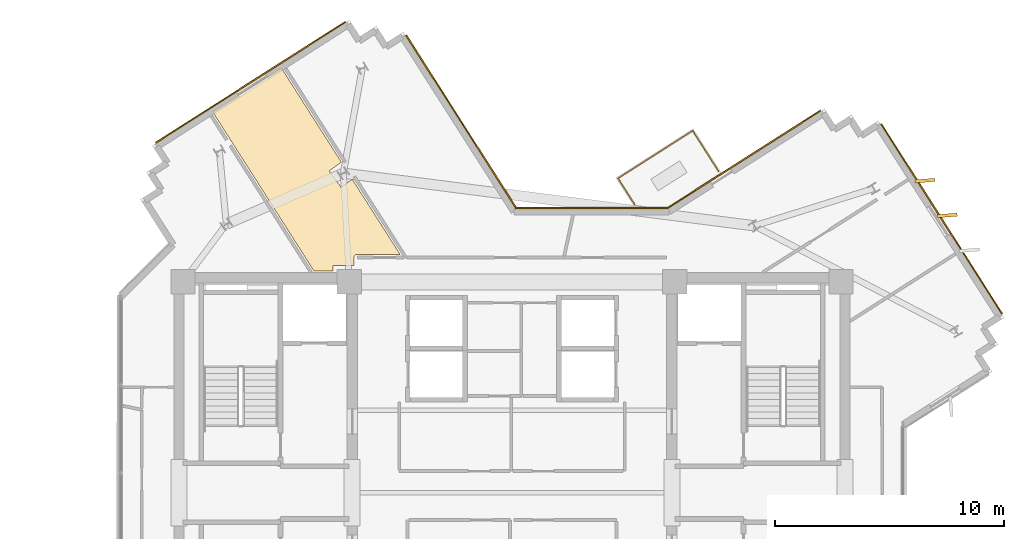
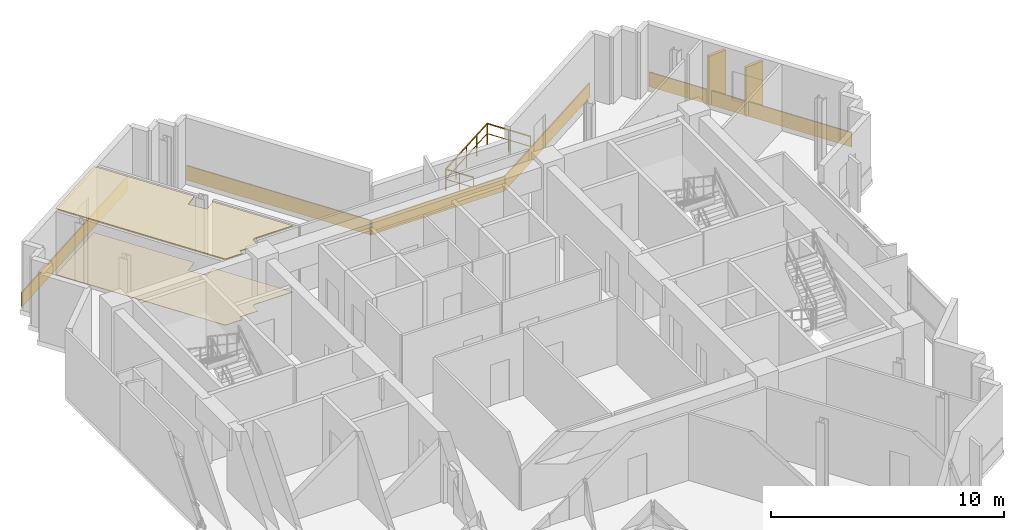
# One storey, part 12 of 12: 9 coverings, 3 railings.
"""IFC4 building model written with IfcOpenShell, lengths in metres."""

import ifcopenshell
import ifcopenshell.guid

model = None  # the IFC model being written
_history = None  # IfcOwnerHistory: only IFC2X3 demands one
_inside = {}  # id of a spatial element -> (the spatial element, [elements in it])
_under = {}  # id of a project, library or spatial element -> (it, [spatial elements below it])
_declared = {}  # id of a project -> (the project, [libraries it declares])
_typed = {}  # id of a type object -> (the type object, [elements of that type])
_made_of = {}  # id of a material, layer set ... -> (it, [elements and type objects made of it])


def new_model(schema):
    """Start an empty IFC model of exactly this schema.

    Asked for "IFC4X3", IfcOpenShell would pick the latest addendum, in which some entities
    have other attributes; the version numbers below select the first issue.
    IFC2X3 requires an IfcOwnerHistory on every rooted entity: one is made here for all.
    """
    global model, _history
    if schema == "IFC4X3":
        model = ifcopenshell.file(schema_version=(4, 3, 0, 0))
    else:
        model = ifcopenshell.file(schema=schema)
    _inside.clear()
    _under.clear()
    _declared.clear()
    _typed.clear()
    _made_of.clear()
    _history = None
    if model.schema == "IFC2X3":
        org = make("IfcOrganization", Name="unknown")
        user = make(
            "IfcPersonAndOrganization",
            ThePerson=make("IfcPerson", FamilyName="unknown"),
            TheOrganization=org,
        )
        app = make(
            "IfcApplication",
            ApplicationDeveloper=org,
            Version="unknown",
            ApplicationFullName="unknown",
            ApplicationIdentifier="unknown",
        )
        _history = make(
            "IfcOwnerHistory",
            OwningUser=user,
            OwningApplication=app,
            ChangeAction="ADDED",
            CreationDate=0,
        )
    return model


def make(cls, **values):
    """One entity of the class cls with the attributes given. An attribute that is None is left unset."""
    return model.create_entity(
        cls, **{name: value for name, value in values.items() if value is not None}
    )


def rooted(cls, **values):
    """An entity with a GlobalId (a new one), such as an element, a storey or a relation."""
    return make(cls, GlobalId=ifcopenshell.guid.new(), OwnerHistory=_history, **values)


def si_unit(unit_type, name, prefix=None):
    """IfcSIUnit, for example si_unit("LENGTHUNIT", "METRE", prefix="MILLI")."""
    return make("IfcSIUnit", UnitType=unit_type, Prefix=prefix, Name=name)


def assignment(units):
    """IfcUnitAssignment: the units of a project."""
    return None if units is None else make("IfcUnitAssignment", Units=units)


def point(xyz):
    """IfcCartesianPoint."""
    return None if xyz is None else make("IfcCartesianPoint", Coordinates=xyz)


def direction(xyz):
    """IfcDirection."""
    return None if xyz is None else make("IfcDirection", DirectionRatios=xyz)


def frame(location, z_axis=None, x_axis=None):
    """IfcAxis2Placement3D, a coordinate frame: its origin and axes. An axis left out is left unset."""
    return make(
        "IfcAxis2Placement3D",
        Location=point(location),
        Axis=direction(z_axis),
        RefDirection=direction(x_axis),
    )


def frame_2d(location, x_axis=None):
    """IfcAxis2Placement2D, a coordinate frame in the plane: its origin and x axis."""
    return make(
        "IfcAxis2Placement2D", Location=point(location), RefDirection=direction(x_axis)
    )


def origin():
    """The frame at (0, 0, 0) with its axes left unset."""
    return frame((0.0, 0.0, 0.0))


def origin_2d():
    """The frame at (0, 0) in the plane with its x axis left unset."""
    return frame_2d((0.0, 0.0))


def place(relative_to, where):
    """IfcLocalPlacement: puts the frame where relative to a parent placement (None: the world)."""
    return make(
        "IfcLocalPlacement", PlacementRelTo=relative_to, RelativePlacement=where
    )


def context(
    kind, dimensions, precision=None, world=None, true_north=None, identifier=None
):
    """IfcGeometricRepresentationContext, for example the 3D "Model" context."""
    return make(
        "IfcGeometricRepresentationContext",
        ContextIdentifier=identifier,
        ContextType=kind,
        CoordinateSpaceDimension=dimensions,
        Precision=precision,
        WorldCoordinateSystem=world,
        TrueNorth=true_north,
    )


def subcontext(parent, identifier, kind, view, scale=None):
    """IfcGeometricRepresentationSubContext, for example "Body" below "Model"."""
    return make(
        "IfcGeometricRepresentationSubContext",
        ContextIdentifier=identifier,
        ContextType=kind,
        ParentContext=parent,
        TargetScale=scale,
        TargetView=view,
    )


def project(units=None, contexts=None):
    """IfcProject with its units and contexts."""
    return rooted(
        "IfcProject",
        Name="project",
        RepresentationContexts=contexts,
        UnitsInContext=assignment(units),
    )


def spatial(cls, under=None, at=None, **own):
    """A site, building, storey or space (cls), placed at a placement, below another one or the project."""
    s = rooted(cls, ObjectPlacement=at, **own)
    if under is not None:
        _under.setdefault(under.id(), (under, []))[1].append(s)
    return s


def polyline(points):
    """IfcPolyline through the points."""
    return make("IfcPolyline", Points=[point(p) for p in points])


def profile(cls, at=None, kind="AREA", **sizes):
    """A parametric profile (cls). Its sizes go by their IFC names, for example OverallWidth=200.0."""
    return make(cls, ProfileType=kind, Position=at, **sizes)


def rectangle(**sizes):
    """IfcRectangleProfileDef."""
    return profile("IfcRectangleProfileDef", **sizes)


def outline(outer, holes=None, kind="AREA"):
    """IfcArbitraryClosedProfileDef: a profile drawn as a closed curve; with holes, ...WithVoids."""
    if holes is None:
        return make("IfcArbitraryClosedProfileDef", ProfileType=kind, OuterCurve=outer)
    return make(
        "IfcArbitraryProfileDefWithVoids",
        ProfileType=kind,
        OuterCurve=outer,
        InnerCurves=holes,
    )


def extrude(swept, where, along, depth):
    """IfcExtrudedAreaSolid: the profile swept, set in the frame where, extruded along a direction by depth."""
    return make(
        "IfcExtrudedAreaSolid",
        SweptArea=swept,
        Position=where,
        ExtrudedDirection=direction(along),
        Depth=depth,
    )


def shape(context_of_items, identifier, shape_type, items):
    """IfcShapeRepresentation: the items that make up one representation, for example the "Body"."""
    return make(
        "IfcShapeRepresentation",
        ContextOfItems=context_of_items,
        RepresentationIdentifier=identifier,
        RepresentationType=shape_type,
        Items=items,
    )


def source(mapping_origin, context_of_items, identifier, shape_type, items):
    """IfcRepresentationMap: a shape defined once, which mapped items show again and again."""
    return make(
        "IfcRepresentationMap",
        MappingOrigin=mapping_origin,
        MappedRepresentation=shape(context_of_items, identifier, shape_type, items),
    )


def transform(
    local_origin,
    x_axis=None,
    y_axis=None,
    z_axis=None,
    scale=None,
    scale2=None,
    scale3=None,
    uniform=True,
):
    """IfcCartesianTransformationOperator3D, or its non-uniform kind. x_axis, y_axis, z_axis: its Axis1, 2, 3."""
    if uniform:
        return make(
            "IfcCartesianTransformationOperator3D",
            Axis1=direction(x_axis),
            Axis2=direction(y_axis),
            LocalOrigin=point(local_origin),
            Scale=scale,
            Axis3=direction(z_axis),
        )
    return make(
        "IfcCartesianTransformationOperator3DnonUniform",
        Axis1=direction(x_axis),
        Axis2=direction(y_axis),
        LocalOrigin=point(local_origin),
        Scale=scale,
        Axis3=direction(z_axis),
        Scale2=scale2,
        Scale3=scale3,
    )


def mapped(mapping_source, mapping_target):
    """IfcMappedItem: shows the shape of a source again, moved by a transform."""
    return make(
        "IfcMappedItem", MappingSource=mapping_source, MappingTarget=mapping_target
    )


def material(Name=None, Category=None):
    """IfcMaterial."""
    return make("IfcMaterial", Name=Name, Category=Category)


def layer(
    of_material, thickness, ventilated=None, Name=None, Category=None, Priority=None
):
    """IfcMaterialLayer: one layer of a wall or slab, of a material (None: an air gap)."""
    return make(
        "IfcMaterialLayer",
        Material=of_material,
        LayerThickness=thickness,
        IsVentilated=ventilated,
        Name=Name,
        Category=Category,
        Priority=Priority,
    )


def layer_set(layers, Name=None):
    """IfcMaterialLayerSet."""
    return make("IfcMaterialLayerSet", MaterialLayers=layers, LayerSetName=Name)


def made_of(thing, what):
    """Note that an element or type object is made of a material, layer set ...; save() writes the relation."""
    if what is not None:
        _made_of.setdefault(what.id(), (what, []))[1].append(thing)
    return thing


def type_object(cls, material=None, **own):
    """A type object (cls), such as IfcWallType, which elements share."""
    return made_of(rooted(cls, **own), material)


def element(
    cls,
    number,
    at=None,
    inside=None,
    cuts=None,
    type_object=None,
    material=None,
    context=None,
    identifier="Body",
    shape_type=None,
    held_by="IfcProductDefinitionShape",
    body=None,
    shapes=None,
    **own,
):
    """One element of the class cls, such as IfcWall. Its Tag is "e" and its number.

    at: its placement. inside: the storey or other place that contains it. cuts: it is an
    opening in that element (IfcRelVoidsElement). A single representation is given by context,
    identifier, shape_type and body (its items); several are given by shapes. held_by: the class
    of the entity that holds the representations. save() writes the other relations.
    """
    e = rooted(cls, Tag="e%d" % number, ObjectPlacement=at, **own)
    if body is not None:
        shapes = [shape(context, identifier, shape_type, body)]
    if shapes is not None:
        e.Representation = make(held_by, Representations=shapes)
    if inside is not None:
        _inside.setdefault(inside.id(), (inside, []))[1].append(e)
    if cuts is not None:
        rooted(
            "IfcRelVoidsElement", RelatingBuildingElement=cuts, RelatedOpeningElement=e
        )
    if type_object is not None:
        _typed.setdefault(type_object.id(), (type_object, []))[1].append(e)
    return made_of(e, material)


def aggregate(whole, parts):
    """IfcRelAggregates: a whole, such as a stair, and the parts it consists of."""
    return rooted("IfcRelAggregates", RelatingObject=whole, RelatedObjects=parts)


def save(model, path):
    """Write the relations noted so far, then the file.

    IfcRelAggregates (storeys below a building ...), IfcRelContainedInSpatialStructure (elements
    in a storey), IfcRelDefinesByType, IfcRelAssociatesMaterial and IfcRelDeclares: one each for
    every whole, place, type object, material and project.
    """
    for whole, parts in _under.values():
        aggregate(whole, parts)
    for where, things in _inside.values():
        rooted(
            "IfcRelContainedInSpatialStructure",
            RelatedElements=things,
            RelatingStructure=where,
        )
    for kind, things in _typed.values():
        rooted("IfcRelDefinesByType", RelatedObjects=things, RelatingType=kind)
    for what, things in _made_of.values():
        rooted("IfcRelAssociatesMaterial", RelatedObjects=things, RelatingMaterial=what)
    for by, libraries in _declared.values():
        rooted("IfcRelDeclares", RelatingContext=by, RelatedDefinitions=libraries)
    model.write(path)


model = new_model("IFC4")

# Units and contexts
model_context = context("Model", 3, precision=1e-05, world=origin(), true_north=direction((0.0, 1.0)))
body_context = subcontext(model_context, "Body", "Model", "MODEL_VIEW")
ifc_project = project(units=[si_unit("LENGTHUNIT", "METRE"), si_unit("AREAUNIT", "SQUARE_METRE"), si_unit("VOLUMEUNIT", "CUBIC_METRE"), si_unit("PLANEANGLEUNIT", "RADIAN"), si_unit("MASSUNIT", "GRAM", prefix="KILO")], contexts=[model_context])

# Site, building, storey
site_placement = place(None, origin())
site = spatial("IfcSite", under=ifc_project, at=site_placement, CompositionType="ELEMENT")
building_placement = place(site_placement, origin())
building = spatial("IfcBuilding", under=site, at=building_placement, Name="Zahravan Cultural Tower", CompositionType="ELEMENT")
storey_placement = place(building_placement, frame((0.0, 0.0, 261.60009765625)))
storey = spatial("IfcBuildingStorey", under=building, at=storey_placement, Name="L62", CompositionType="ELEMENT", Elevation=261.60009765625)

# Coverings
ifc_material_1 = material(Name="Acoustic mineral fibreboard")
ifc_layer_1 = layer(ifc_material_1, 0.0400390625)
ifc_layer_set_1 = layer_set([ifc_layer_1], Name="Acoustic mineral fibreboard")
covering_type_1 = type_object("IfcCoveringType", Name="COV-CEIL-AC20", PredefinedType="CEILING", material=ifc_layer_set_1)
covering_1_placement = place(storey_placement, frame((0.0, 0.0, 3.4599609375)))
element("IfcCovering", 1, at=covering_1_placement, inside=storey, type_object=covering_type_1, Name="L62 Acoustic Suspended Ceiling", PredefinedType="CEILING", context=body_context, shape_type="SweptSolid", body=[
    extrude(outline(polyline([(28.54541015625, 40.32275390625), (28.0283203125, 41.03466796875), (28.55712890625, 41.4189453125), (25.93505859375, 45.53466796875), (22.9326171875, 43.6220703125), (27.35498046875, 36.679931640625), (28.199951171875, 36.679931640625), (28.199951171875, 36.89990234375), (29.110107421875, 36.89990234375), (29.1103515625, 37.28173828125), (29.139892578125, 37.353271484375), (29.21630859375, 37.398681640625), (31.117431640625, 37.39990234375), (29.03076171875, 40.67529296875), (28.54541015625, 40.32275390625)])), origin(), (0.0, 0.0, 1.0), 0.0400390625),
])
ifc_material_2 = material(Name="Terrazzo flooring")
ifc_layer_2 = layer(ifc_material_2, 0.02490234375)
ifc_layer_set_2 = layer_set([ifc_layer_2], Name="Terrazzo flooring")
covering_type_2 = type_object("IfcCoveringType", Name="COV-FLR-TZ25", PredefinedType="FLOORING", material=ifc_layer_set_2)
covering_2_placement = place(storey_placement, origin())
element("IfcCovering", 2, at=covering_2_placement, inside=storey, type_object=covering_type_2, Name="L62 Polished Terrazzo Flooring", PredefinedType="FLOORING", context=body_context, shape_type="SweptSolid", body=[
    extrude(outline(polyline([(28.54541015625, 40.32275390625), (28.0283203125, 41.03466796875), (28.55712890625, 41.4189453125), (25.93505859375, 45.53466796875), (22.9326171875, 43.6220703125), (27.35498046875, 36.679931640625), (28.199951171875, 36.679931640625), (28.199951171875, 36.89990234375), (29.110107421875, 36.89990234375), (29.1103515625, 37.28173828125), (29.139892578125, 37.353271484375), (29.21630859375, 37.398681640625), (31.117431640625, 37.39990234375), (29.03076171875, 40.67529296875), (28.54541015625, 40.32275390625)])), origin(), (0.0, 0.0, 1.0), 0.02490234375),
])

# Railings
ifc_material_3 = material(Name="Steel ASTM A572 Grade 50", Category="steel")
railing_type = type_object("IfcRailingType", Name="RL-BAL-1150", PredefinedType="BALUSTRADE", material=ifc_material_3)
railing_1_placement = place(storey_placement, frame((40.626220703125, 40.71337890625, 0.0)))
element("IfcRailing", 3, at=railing_1_placement, inside=storey, type_object=railing_type, Name="L62 Edge Balustrade GRD-TR-L62-NE-01", PredefinedType="BALUSTRADE", context=body_context, shape_type="SweptSolid", body=[
    extrude(rectangle(XDim=0.05, YDim=0.05, at=origin_2d()), frame((0.0, 0.0, 1.125), z_axis=(0.843400958966, 0.537284675397, 0.0), x_axis=(-0.537284675397, 0.843400958966, 0.0)), (0.0, 0.0, 1.0), 3.860107421875),
    extrude(rectangle(XDim=0.032, YDim=0.032, at=origin_2d()), frame((0.0, 0.0, 0.597900390625), z_axis=(0.843400958966, 0.537284675397, 0.0), x_axis=(-0.537284675397, 0.843400958966, 0.0)), (0.0, 0.0, 1.0), 3.860107421875),
    extrude(rectangle(XDim=0.04, YDim=0.04, at=origin_2d()), origin(), (0.0, 0.0, 1.0), 1.14990234375),
    extrude(rectangle(XDim=0.04, YDim=0.04, at=origin_2d()), frame((0.81396484375, 0.5185546875, 0.0)), (0.0, 0.0, 1.0), 1.14990234375),
    extrude(rectangle(XDim=0.04, YDim=0.04, at=origin_2d()), frame((1.6279296875, 1.037109375, 0.0)), (0.0, 0.0, 1.0), 1.14990234375),
    extrude(rectangle(XDim=0.04, YDim=0.04, at=origin_2d()), frame((2.441650390625, 1.555419921875, 0.0)), (0.0, 0.0, 1.0), 1.14990234375),
    extrude(rectangle(XDim=0.04, YDim=0.04, at=origin_2d()), frame((3.255615234375, 2.073974609375, 0.0)), (0.0, 0.0, 1.0), 1.14990234375),
])
railing_2_placement = place(storey_placement, frame((43.8818359375, 42.787353515625, 0.0)))
element("IfcRailing", 4, at=railing_2_placement, inside=storey, type_object=railing_type, Name="L62 Edge Balustrade GRD-TR-L62-NE-02", PredefinedType="BALUSTRADE", context=body_context, shape_type="SweptSolid", body=[
    extrude(rectangle(XDim=0.05, YDim=0.05, at=origin_2d()), frame((0.0, 0.0, 1.125), z_axis=(0.537221481212, -0.8434412132, 0.0), x_axis=(0.8434412132, 0.537221481212, 0.0)), (0.0, 0.0, 1.0), 2.10009765625),
    extrude(rectangle(XDim=0.032, YDim=0.032, at=origin_2d()), frame((0.0, 0.0, 0.597900390625), z_axis=(0.537221481212, -0.8434412132, 0.0), x_axis=(0.8434412132, 0.537221481212, 0.0)), (0.0, 0.0, 1.0), 2.10009765625),
    extrude(rectangle(XDim=0.04, YDim=0.04, at=origin_2d()), origin(), (0.0, 0.0, 1.0), 1.14990234375),
    extrude(rectangle(XDim=0.04, YDim=0.04, at=origin_2d()), frame((0.56396484375, -0.8857421875, 0.0)), (0.0, 0.0, 1.0), 1.14990234375),
    extrude(rectangle(XDim=0.04, YDim=0.04, at=origin_2d()), frame((1.128173828125, -1.771240234375, 0.0)), (0.0, 0.0, 1.0), 1.14990234375),
])
railing_3_placement = place(storey_placement, frame((41.348388671875, 39.580078125, 0.0)))
element("IfcRailing", 5, at=railing_3_placement, inside=storey, type_object=railing_type, Name="L62 Edge Balustrade GRD-TR-L62-NE-03", PredefinedType="BALUSTRADE", context=body_context, shape_type="SweptSolid", body=[
    extrude(rectangle(XDim=0.05, YDim=0.05, at=origin_2d()), frame((0.0, 0.0, 1.125), z_axis=(-0.53739262876, 0.843332178062, 0.0), x_axis=(-0.843332178062, -0.53739262876, 0.0)), (0.0, 0.0, 1.0), 1.34375),
    extrude(rectangle(XDim=0.032, YDim=0.032, at=origin_2d()), frame((0.0, 0.0, 0.597900390625), z_axis=(-0.53739262876, 0.843332178062, 0.0), x_axis=(-0.843332178062, -0.53739262876, 0.0)), (0.0, 0.0, 1.0), 1.34375),
    extrude(rectangle(XDim=0.04, YDim=0.04, at=origin_2d()), origin(), (0.0, 0.0, 1.0), 1.14990234375),
    extrude(rectangle(XDim=0.04, YDim=0.04, at=origin_2d()), frame((-0.361083984375, 0.566650390625, 0.0)), (0.0, 0.0, 1.0), 1.14990234375),
    extrude(rectangle(XDim=0.04, YDim=0.04, at=origin_2d()), frame((-0.72216796875, 1.13330078125, 0.0)), (0.0, 0.0, 1.0), 1.14990234375),
])

# Coverings
ifc_material_4 = material(Name="Terracotta ceramic cladding", Category="masonry")
ifc_layer_3 = layer(ifc_material_4, 0.06005859375)
ifc_layer_set_3 = layer_set([ifc_layer_3], Name="Terracotta ceramic cladding")
covering_type_3 = type_object("IfcCoveringType", Name="COV-CLAD-TC60", PredefinedType="CLADDING", material=ifc_layer_set_3)
shared_shape_1 = source(origin(), body_context, "Body", "SweptSolid", [
    extrude(rectangle(XDim=9.81982421875, YDim=0.06005859375, at=origin_2d()), origin(), (0.0, 0.0, 1.0), 0.760009765625),
])
for number, where, z_axis, x_axis, name in (
    (6, (54.744384765625, 38.94140625, 0.02001953125), (0.0, 0.0, 1.0), (0.537299608347, -0.843391445813, 0.0), "L62 Terracotta Spandrel Cladding 06"),
    (7, (24.595703125, 44.90087890625, 0.02001953125), (0.0, 0.0, 1.0), (0.843391445813, 0.537299608347, 0.0), "L62 Terracotta Spandrel Cladding 42"),
):
    element("IfcCovering", number, at=place(storey_placement, frame(where, z_axis=z_axis, x_axis=x_axis)), inside=storey, type_object=covering_type_3, Name=name, PredefinedType="CLADDING", context=body_context, shape_type="MappedRepresentation", body=[
        mapped(shared_shape_1, transform((0.0, 0.0, 0.0), x_axis=(1.0, 0.0, 0.0), y_axis=(0.0, 1.0, 0.0), z_axis=(0.0, 0.0, 1.0), scale=1.0)),
    ])
shared_shape_2 = source(origin(), body_context, "Body", "SweptSolid", [
    extrude(rectangle(XDim=0.8798828125, YDim=0.139892578125, at=origin_2d()), origin(), (0.0, 0.0, 1.0), 2.580078125),
])
for number, where, z_axis, x_axis, name in (
    (8, (54.017578125, 40.61279296875, 0.0498046875), (0.0, 0.0, 1.0), (0.996917333733, 0.078459095728, 0.0), "L62 Herringbone Terracotta Fin 01"),
    (9, (54.984619140625, 39.094482421875, 0.0498046875), (0.0, 0.0, 1.0), (0.996917333733, 0.078459095728, 0.0), "L62 Herringbone Terracotta Fin 02"),
):
    element("IfcCovering", number, at=place(storey_placement, frame(where, z_axis=z_axis, x_axis=x_axis)), inside=storey, type_object=covering_type_3, Name=name, PredefinedType="CLADDING", context=body_context, shape_type="MappedRepresentation", body=[
        mapped(shared_shape_2, transform((0.0, 0.0, 0.0), x_axis=(1.0, 0.0, 0.0), y_axis=(0.0, 1.0, 0.0), z_axis=(0.0, 0.0, 1.0), scale=1.0)),
    ])
shared_shape_3 = source(origin(), body_context, "Body", "SweptSolid", [
    extrude(rectangle(XDim=7.896240234375, YDim=0.06005859375, at=origin_2d()), origin(), (0.0, 0.0, 1.0), 0.760009765625),
])
covering_3_placement = place(storey_placement, frame((46.13232421875, 41.54736328125, 0.02001953125), z_axis=(0.0, 0.0, 1.0), x_axis=(0.843391445813, 0.537299608347, 0.0)))
element("IfcCovering", 10, at=covering_3_placement, inside=storey, type_object=covering_type_3, Name="L62 Terracotta Spandrel Cladding 01", PredefinedType="CLADDING", context=body_context, shape_type="MappedRepresentation", body=[
    mapped(shared_shape_3, transform((0.0, 0.0, 0.0), x_axis=(1.0, 0.0, 0.0), y_axis=(0.0, 1.0, 0.0), z_axis=(0.0, 0.0, 1.0), scale=1.0)),
])
shared_shape_4 = source(origin(), body_context, "Body", "SweptSolid", [
    extrude(rectangle(XDim=8.96630859375, YDim=0.06005859375, at=origin_2d()), origin(), (0.0, 0.0, 1.0), 0.760009765625),
])
covering_4_placement = place(storey_placement, frame((33.789794921875, 43.171875, 0.02001953125), z_axis=(0.0, 0.0, 1.0), x_axis=(0.537299608347, -0.843391445813, 0.0)))
element("IfcCovering", 11, at=covering_4_placement, inside=storey, type_object=covering_type_3, Name="L62 Terracotta Spandrel Cladding 47", PredefinedType="CLADDING", context=body_context, shape_type="MappedRepresentation", body=[
    mapped(shared_shape_4, transform((0.0, 0.0, 0.0), x_axis=(1.0, 0.0, 0.0), y_axis=(0.0, 1.0, 0.0), z_axis=(0.0, 0.0, 1.0), scale=1.0)),
])
shared_shape_5 = source(origin(), body_context, "Body", "SweptSolid", [
    extrude(rectangle(XDim=6.662841796875, YDim=0.06005859375, at=origin_2d()), origin(), (0.0, 0.0, 1.0), 0.760009765625),
])
covering_5_placement = place(storey_placement, frame((39.467529296875, 39.425048828125, 0.02001953125), z_axis=(0.0, 0.0, 1.0), x_axis=(1.0, 0.0, 0.0)))
element("IfcCovering", 12, at=covering_5_placement, inside=storey, type_object=covering_type_3, Name="L62 Terracotta Spandrel Cladding 48", PredefinedType="CLADDING", context=body_context, shape_type="MappedRepresentation", body=[
    mapped(shared_shape_5, transform((0.0, 0.0, 0.0), x_axis=(1.0, 0.0, 0.0), y_axis=(0.0, 1.0, 0.0), z_axis=(0.0, 0.0, 1.0), scale=1.0)),
])

save(model, "model.ifc")
